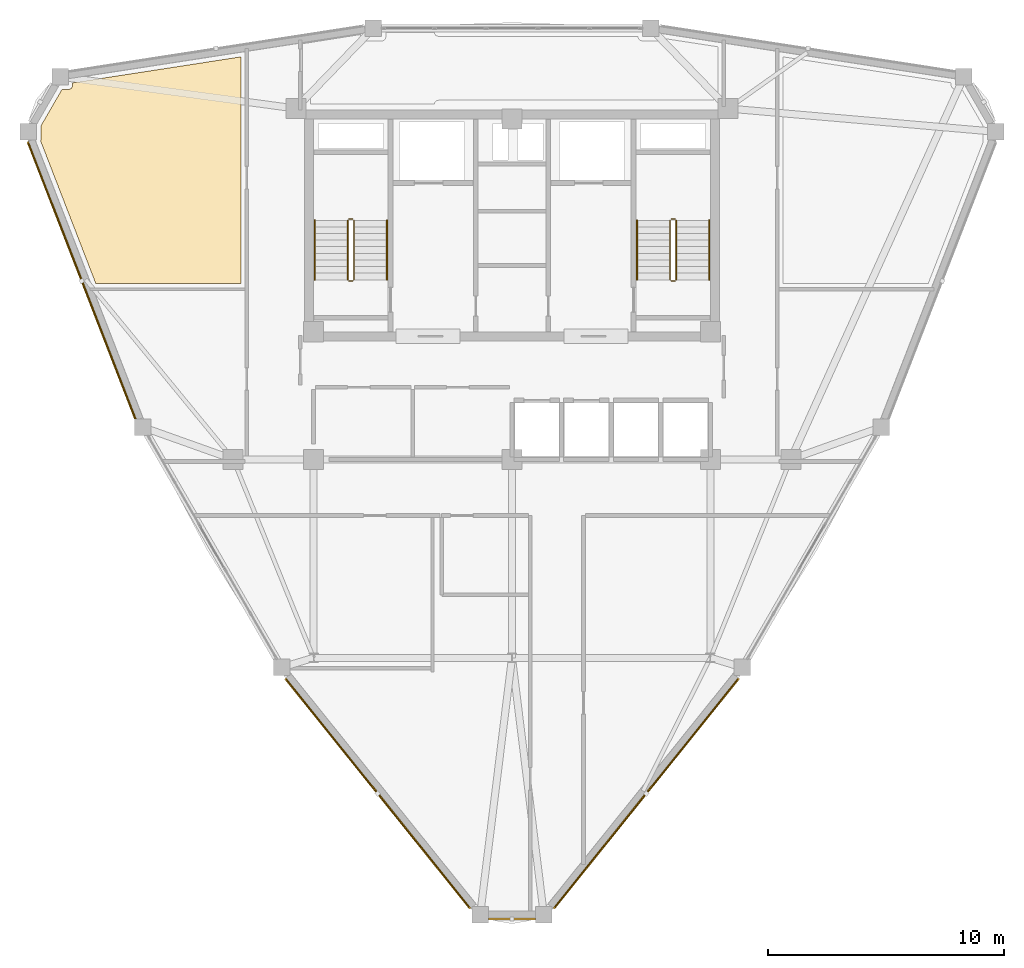
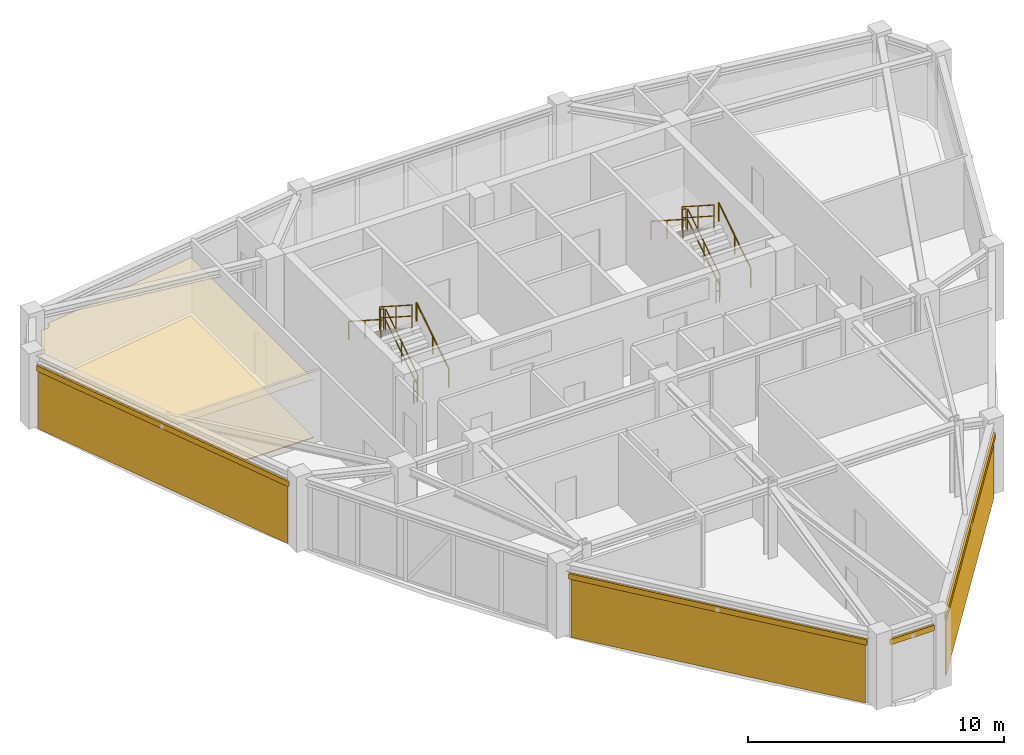
# One storey, part 14 of 15: 12 railings, 5 coverings, 4 shading devices.
"""IFC4 building model written with IfcOpenShell, lengths in metres."""

from ifc_helpers import new_model, si_unit, derived_unit, direction, frame, origin, origin_2d, place, context, subcontext, project, spatial, polyline, hollow_rectangle, circle, outline, extrude, source, transform, mapped, material, layer, layer_set, material_profile, profile_set, type_object, element, save


model = new_model("IFC4")

# Units and contexts
model_context = context("Model", 3, precision=1e-05, world=origin(), true_north=direction((0.0, 1.0)))
body_context = subcontext(model_context, "Body", "Model", "MODEL_VIEW")
ifc_project = project(units=[si_unit("LENGTHUNIT", "METRE"), si_unit("AREAUNIT", "SQUARE_METRE"), si_unit("VOLUMEUNIT", "CUBIC_METRE"), si_unit("PLANEANGLEUNIT", "RADIAN"), si_unit("MASSUNIT", "GRAM", prefix="KILO"), derived_unit("THERMALTRANSMITTANCEUNIT", [(si_unit("POWERUNIT", "WATT"), 1), (si_unit("LENGTHUNIT", "METRE"), -2), (si_unit("THERMODYNAMICTEMPERATUREUNIT", "KELVIN"), -1)])], contexts=[model_context])

# Site, building, storey
site_placement = place(None, origin())
site = spatial("IfcSite", under=ifc_project, at=site_placement, CompositionType="ELEMENT")
building_placement = place(site_placement, origin())
building = spatial("IfcBuilding", under=site, at=building_placement, Name="Korsvarv Bourse and Concert Hall", CompositionType="ELEMENT")
storey_placement = place(building_placement, frame((0.0, 0.0, 264.60009765625)))
storey = spatial("IfcBuildingStorey", under=building, at=storey_placement, Name="L69", CompositionType="ELEMENT", Elevation=264.60009765625)

# Coverings
ifc_material_1 = material(Name="Perforated mineral-wool and birch acoustic baffle ceiling", Category="wood")
ifc_layer_1 = layer(ifc_material_1, 0.02490234375)
ifc_layer_set_1 = layer_set([ifc_layer_1], Name="Perforated mineral-wool and birch acoustic baffle ceiling")
covering_type_1 = type_object("IfcCoveringType", Name="COV-CEIL-1", PredefinedType="CEILING", material=ifc_layer_set_1)
covering_1_placement = place(storey_placement, frame((0.0, 0.0, 2.789794921875)))
element("IfcCovering", 1, at=covering_1_placement, inside=storey, type_object=covering_type_1, Name="L69 acoustic baffle ceiling 1", PredefinedType="CEILING", context=body_context, shape_type="SweptSolid", body=[
    extrude(outline(polyline([(16.052001953125, 45.868896484375), (16.055908203125, 45.903564453125), (16.065185546875, 46.520263671875), (16.952880859375, 48.05810546875), (17.221923828125, 48.05810546875), (17.256103515625, 48.061279296875), (17.289306640625, 48.071044921875), (17.31982421875, 48.0869140625), (17.3466796875, 48.108154296875), (17.369140625, 48.13427734375), (17.38623046875, 48.164306640625), (17.397216796875, 48.19677734375), (17.40185546875, 48.23095703125), (17.406005859375, 48.33642578125), (24.52001953125, 49.435791015625), (24.52001953125, 39.85009765625), (18.38134765625, 39.85009765625), (16.052001953125, 45.868896484375)])), origin(), (0.0, 0.0, 1.0), 0.025146484375),
])
ifc_material_2 = material(Name="Warm iron-oxide extruded terracotta rainscreen tile", Category="ceramic")
ifc_layer_2 = layer(ifc_material_2, 0.044921875)
ifc_layer_set_2 = layer_set([ifc_layer_2], Name="Warm iron-oxide extruded terracotta rainscreen tile")
covering_type_2 = type_object("IfcCoveringType", Name="COV-CLD-TC", PredefinedType="CLADDING", material=ifc_layer_set_2)
covering_2_placement = place(storey_placement, origin())
element("IfcCovering", 2, at=covering_2_placement, inside=storey, type_object=covering_type_2, Name="L69 fluted terracotta cladding panel EW-L69-B06", PredefinedType="CLADDING", context=body_context, shape_type="SweptSolid", body=[
    extrude(outline(polyline([(15.566650390625, 45.787841796875), (20.088134765625, 34.140380859375), (20.046142578125, 34.124267578125), (15.52490234375, 45.771484375), (15.566650390625, 45.787841796875)])), origin(), (0.0, 0.0, 1.0), 2.72998046875),
])
covering_3_placement = place(storey_placement, origin())
element("IfcCovering", 3, at=covering_3_placement, inside=storey, type_object=covering_type_2, Name="L69 fluted terracotta cladding panel EW-L69-B08", PredefinedType="CLADDING", context=body_context, shape_type="SweptSolid", body=[
    extrude(outline(polyline([(26.48046875, 23.091552734375), (34.213134765625, 13.468505859375), (34.177978515625, 13.440185546875), (26.4453125, 23.0634765625), (26.48046875, 23.091552734375)])), origin(), (0.0, 0.0, 1.0), 2.760009765625),
])
covering_4_placement = place(storey_placement, origin())
element("IfcCovering", 4, at=covering_4_placement, inside=storey, type_object=covering_type_2, Name="L69 fluted terracotta cladding panel EW-L69-B10", PredefinedType="CLADDING", context=body_context, shape_type="SweptSolid", body=[
    extrude(outline(polyline([(37.786865234375, 13.468505859375), (45.51953125, 23.091552734375), (45.5546875, 23.0634765625), (37.822021484375, 13.440185546875), (37.786865234375, 13.468505859375)])), origin(), (0.0, 0.0, 1.0), 2.72998046875),
])
ifc_material_3 = material(Name="Calcium-sulphate raised access trading floor with Nordic oak top", Category="wood")
ifc_layer_3 = layer(ifc_material_3, 0.0400390625)
ifc_layer_set_3 = layer_set([ifc_layer_3], Name="Calcium-sulphate raised access trading floor with Nordic oak top")
covering_type_3 = type_object("IfcCoveringType", Name="COV-FLOR-1", PredefinedType="FLOORING", material=ifc_layer_set_3)
covering_5_placement = place(storey_placement, origin())
element("IfcCovering", 5, at=covering_5_placement, inside=storey, type_object=covering_type_3, Name="L69 raised access oak floor finish 1", PredefinedType="FLOORING", context=body_context, shape_type="SweptSolid", body=[
    extrude(outline(polyline([(16.052001953125, 45.868896484375), (16.055908203125, 45.903564453125), (16.065185546875, 46.520263671875), (16.952880859375, 48.05810546875), (17.221923828125, 48.05810546875), (17.256103515625, 48.061279296875), (17.289306640625, 48.071044921875), (17.31982421875, 48.0869140625), (17.3466796875, 48.108154296875), (17.369140625, 48.13427734375), (17.38623046875, 48.164306640625), (17.397216796875, 48.19677734375), (17.40185546875, 48.23095703125), (17.406005859375, 48.33642578125), (24.52001953125, 49.435791015625), (24.52001953125, 39.85009765625), (18.38134765625, 39.85009765625), (16.052001953125, 45.868896484375)])), origin(), (0.0, 0.0, 1.0), 0.039794921875),
])

# Railings
ifc_material_4 = material(Name="Painted Steel S355 stair well guardrail", Category="steel")
railing_type_1 = type_object("IfcRailingType", Name="RL-ST-GRD", PredefinedType="GUARDRAIL", material=ifc_material_4)
railing_1_placement = place(storey_placement, frame((29.31005859375, 40.0, 0.179931640625)))
element("IfcRailing", 6, at=railing_1_placement, inside=storey, type_object=railing_type_1, Name="L69 ST-T1 stair guard 1", PredefinedType="GUARDRAIL", context=body_context, shape_type="SweptSolid", body=[
    extrude(circle(Radius=0.02392578125, at=origin_2d()), frame((0.0, 0.0, 1.076171875), z_axis=(0.0, 0.841199657755, 0.540724639528), x_axis=(-1.0, 0.0, 0.0)), (0.0, 0.0, 1.0), 2.995849609375),
    extrude(circle(Radius=0.02392578125, at=origin_2d()), frame((0.0, 0.0, 0.550048828125), z_axis=(0.0, 0.841199657755, 0.540724639528), x_axis=(-1.0, 0.0, 0.0)), (0.0, 0.0, 1.0), 2.995849609375),
    extrude(circle(Radius=0.02099609375, at=origin_2d()), origin(), (0.0, 0.0, 1.0), 1.052001953125),
    extrude(circle(Radius=0.02099609375, at=origin_2d()), frame((0.0, 1.260009765625, 0.81005859375)), (0.0, 0.0, 1.0), 1.052001953125),
    extrude(circle(Radius=0.02099609375, at=origin_2d()), frame((0.0, 2.52001953125, 1.619873046875)), (0.0, 0.0, 1.0), 1.052001953125),
])
railing_2_placement = place(storey_placement, frame((29.260009765625, 42.570068359375, 1.7998046875)))
element("IfcRailing", 7, at=railing_2_placement, inside=storey, type_object=railing_type_1, Name="L69 ST-T1 stair guard 2", PredefinedType="GUARDRAIL", context=body_context, shape_type="SweptSolid", body=[
    extrude(circle(Radius=0.02392578125, at=origin_2d()), frame((0.0, 0.0, 1.076171875), z_axis=(-1.0, 0.0, 0.0), x_axis=(0.0, -1.0, 0.0)), (0.0, 0.0, 1.0), 0.159912109375),
    extrude(circle(Radius=0.02392578125, at=origin_2d()), frame((0.0, 0.0, 0.550048828125), z_axis=(-1.0, 0.0, 0.0), x_axis=(0.0, -1.0, 0.0)), (0.0, 0.0, 1.0), 0.159912109375),
    extrude(circle(Radius=0.02099609375, at=origin_2d()), origin(), (0.0, 0.0, 1.0), 1.052001953125),
    extrude(circle(Radius=0.02099609375, at=origin_2d()), frame((-0.159912109375, 0.0, 0.0)), (0.0, 0.0, 1.0), 1.052001953125),
])
railing_3_placement = place(storey_placement, frame((29.050048828125, 42.52001953125, 1.97998046875)))
element("IfcRailing", 8, at=railing_3_placement, inside=storey, type_object=railing_type_1, Name="L69 ST-T1 stair guard 3", PredefinedType="GUARDRAIL", context=body_context, shape_type="SweptSolid", body=[
    extrude(circle(Radius=0.02392578125, at=origin_2d()), frame((0.0, 0.0, 1.076171875), z_axis=(0.0, -0.841199657755, 0.540724639528), x_axis=(1.0, 0.0, 0.0)), (0.0, 0.0, 1.0), 2.995849609375),
    extrude(circle(Radius=0.02392578125, at=origin_2d()), frame((0.0, 0.0, 0.550048828125), z_axis=(0.0, -0.841199657755, 0.540724639528), x_axis=(1.0, 0.0, 0.0)), (0.0, 0.0, 1.0), 2.995849609375),
    extrude(circle(Radius=0.02099609375, at=origin_2d()), origin(), (0.0, 0.0, 1.0), 1.052001953125),
    extrude(circle(Radius=0.02099609375, at=origin_2d()), frame((0.0, -1.260009765625, 0.81005859375)), (0.0, 0.0, 1.0), 1.052001953125),
    extrude(circle(Radius=0.02099609375, at=origin_2d()), frame((0.0, -2.52001953125, 1.619873046875)), (0.0, 0.0, 1.0), 1.052001953125),
])
railing_4_placement = place(storey_placement, frame((29.260009765625, 39.949951171875, 0.0)))
element("IfcRailing", 9, at=railing_4_placement, inside=storey, type_object=railing_type_1, Name="L69 ST-T1 stair guard 4", PredefinedType="GUARDRAIL", context=body_context, shape_type="SweptSolid", body=[
    extrude(circle(Radius=0.02392578125, at=origin_2d()), frame((0.0, 0.0, 1.076171875), z_axis=(-1.0, 0.0, 0.0), x_axis=(0.0, -1.0, 0.0)), (0.0, 0.0, 1.0), 0.159912109375),
    extrude(circle(Radius=0.02392578125, at=origin_2d()), frame((0.0, 0.0, 0.550048828125), z_axis=(-1.0, 0.0, 0.0), x_axis=(0.0, -1.0, 0.0)), (0.0, 0.0, 1.0), 0.159912109375),
    extrude(circle(Radius=0.02099609375, at=origin_2d()), origin(), (0.0, 0.0, 1.0), 1.052001953125),
    extrude(circle(Radius=0.02099609375, at=origin_2d()), frame((-0.159912109375, 0.0, 0.0)), (0.0, 0.0, 1.0), 1.052001953125),
])
railing_5_placement = place(storey_placement, frame((42.949951171875, 40.0, 0.179931640625)))
element("IfcRailing", 10, at=railing_5_placement, inside=storey, type_object=railing_type_1, Name="L69 ST-T2 stair guard 1", PredefinedType="GUARDRAIL", context=body_context, shape_type="SweptSolid", body=[
    extrude(circle(Radius=0.02392578125, at=origin_2d()), frame((0.0, 0.0, 1.076171875), z_axis=(0.0, 0.841199657755, 0.540724639528), x_axis=(-1.0, 0.0, 0.0)), (0.0, 0.0, 1.0), 2.995849609375),
    extrude(circle(Radius=0.02392578125, at=origin_2d()), frame((0.0, 0.0, 0.550048828125), z_axis=(0.0, 0.841199657755, 0.540724639528), x_axis=(-1.0, 0.0, 0.0)), (0.0, 0.0, 1.0), 2.995849609375),
    extrude(circle(Radius=0.02099609375, at=origin_2d()), origin(), (0.0, 0.0, 1.0), 1.052001953125),
    extrude(circle(Radius=0.02099609375, at=origin_2d()), frame((0.0, 1.260009765625, 0.81005859375)), (0.0, 0.0, 1.0), 1.052001953125),
    extrude(circle(Radius=0.02099609375, at=origin_2d()), frame((0.0, 2.52001953125, 1.619873046875)), (0.0, 0.0, 1.0), 1.052001953125),
])
railing_6_placement = place(storey_placement, frame((42.89990234375, 42.570068359375, 1.7998046875)))
element("IfcRailing", 11, at=railing_6_placement, inside=storey, type_object=railing_type_1, Name="L69 ST-T2 stair guard 2", PredefinedType="GUARDRAIL", context=body_context, shape_type="SweptSolid", body=[
    extrude(circle(Radius=0.02392578125, at=origin_2d()), frame((0.0, 0.0, 1.076171875), z_axis=(-1.0, 0.0, 0.0), x_axis=(0.0, -1.0, 0.0)), (0.0, 0.0, 1.0), 0.159912109375),
    extrude(circle(Radius=0.02392578125, at=origin_2d()), frame((0.0, 0.0, 0.550048828125), z_axis=(-1.0, 0.0, 0.0), x_axis=(0.0, -1.0, 0.0)), (0.0, 0.0, 1.0), 0.159912109375),
    extrude(circle(Radius=0.02099609375, at=origin_2d()), origin(), (0.0, 0.0, 1.0), 1.052001953125),
    extrude(circle(Radius=0.02099609375, at=origin_2d()), frame((-0.159912109375, 0.0, 0.0)), (0.0, 0.0, 1.0), 1.052001953125),
])
railing_7_placement = place(storey_placement, frame((42.68994140625, 42.52001953125, 1.97998046875)))
element("IfcRailing", 12, at=railing_7_placement, inside=storey, type_object=railing_type_1, Name="L69 ST-T2 stair guard 3", PredefinedType="GUARDRAIL", context=body_context, shape_type="SweptSolid", body=[
    extrude(circle(Radius=0.02392578125, at=origin_2d()), frame((0.0, 0.0, 1.076171875), z_axis=(0.0, -0.841199657755, 0.540724639528), x_axis=(1.0, 0.0, 0.0)), (0.0, 0.0, 1.0), 2.995849609375),
    extrude(circle(Radius=0.02392578125, at=origin_2d()), frame((0.0, 0.0, 0.550048828125), z_axis=(0.0, -0.841199657755, 0.540724639528), x_axis=(1.0, 0.0, 0.0)), (0.0, 0.0, 1.0), 2.995849609375),
    extrude(circle(Radius=0.02099609375, at=origin_2d()), origin(), (0.0, 0.0, 1.0), 1.052001953125),
    extrude(circle(Radius=0.02099609375, at=origin_2d()), frame((0.0, -1.260009765625, 0.81005859375)), (0.0, 0.0, 1.0), 1.052001953125),
    extrude(circle(Radius=0.02099609375, at=origin_2d()), frame((0.0, -2.52001953125, 1.619873046875)), (0.0, 0.0, 1.0), 1.052001953125),
])
railing_8_placement = place(storey_placement, frame((42.89990234375, 39.949951171875, 0.0)))
element("IfcRailing", 13, at=railing_8_placement, inside=storey, type_object=railing_type_1, Name="L69 ST-T2 stair guard 4", PredefinedType="GUARDRAIL", context=body_context, shape_type="SweptSolid", body=[
    extrude(circle(Radius=0.02392578125, at=origin_2d()), frame((0.0, 0.0, 1.076171875), z_axis=(-1.0, 0.0, 0.0), x_axis=(0.0, -1.0, 0.0)), (0.0, 0.0, 1.0), 0.159912109375),
    extrude(circle(Radius=0.02392578125, at=origin_2d()), frame((0.0, 0.0, 0.550048828125), z_axis=(-1.0, 0.0, 0.0), x_axis=(0.0, -1.0, 0.0)), (0.0, 0.0, 1.0), 0.159912109375),
    extrude(circle(Radius=0.02099609375, at=origin_2d()), origin(), (0.0, 0.0, 1.0), 1.052001953125),
    extrude(circle(Radius=0.02099609375, at=origin_2d()), frame((-0.159912109375, 0.0, 0.0)), (0.0, 0.0, 1.0), 1.052001953125),
])
ifc_material_5 = material(Name="Brushed stainless Steel S355 tubular handrail", Category="steel")
railing_type_2 = type_object("IfcRailingType", Name="RL-ST-HND", PredefinedType="HANDRAIL", material=ifc_material_5)
railing_9_placement = place(storey_placement, frame((30.7099609375, 40.0, 0.179931640625)))
element("IfcRailing", 14, at=railing_9_placement, inside=storey, type_object=railing_type_2, Name="L69 ST-T1 stair handrail 1", PredefinedType="HANDRAIL", context=body_context, shape_type="SweptSolid", body=[
    extrude(circle(Radius=0.02392578125, at=origin_2d()), frame((0.0, 0.0, 0.8759765625), z_axis=(0.0, 0.841199657755, 0.540724639528), x_axis=(-1.0, 0.0, 0.0)), (0.0, 0.0, 1.0), 2.995849609375),
    extrude(circle(Radius=0.02099609375, at=origin_2d()), origin(), (0.0, 0.0, 1.0), 0.851806640625),
    extrude(circle(Radius=0.02099609375, at=origin_2d()), frame((0.0, 1.260009765625, 0.81005859375)), (0.0, 0.0, 1.0), 0.851806640625),
    extrude(circle(Radius=0.02099609375, at=origin_2d()), frame((0.0, 2.52001953125, 1.619873046875)), (0.0, 0.0, 1.0), 0.851806640625),
])
railing_10_placement = place(storey_placement, frame((27.64990234375, 42.52001953125, 1.97998046875)))
element("IfcRailing", 15, at=railing_10_placement, inside=storey, type_object=railing_type_2, Name="L69 ST-T1 stair handrail 2", PredefinedType="HANDRAIL", context=body_context, shape_type="SweptSolid", body=[
    extrude(circle(Radius=0.02392578125, at=origin_2d()), frame((0.0, 0.0, 0.8759765625), z_axis=(0.0, -0.841199657755, 0.540724639528), x_axis=(1.0, 0.0, 0.0)), (0.0, 0.0, 1.0), 2.995849609375),
    extrude(circle(Radius=0.02099609375, at=origin_2d()), origin(), (0.0, 0.0, 1.0), 0.851806640625),
    extrude(circle(Radius=0.02099609375, at=origin_2d()), frame((0.0, -1.260009765625, 0.81005859375)), (0.0, 0.0, 1.0), 0.851806640625),
    extrude(circle(Radius=0.02099609375, at=origin_2d()), frame((0.0, -2.52001953125, 1.619873046875)), (0.0, 0.0, 1.0), 0.851806640625),
])
railing_11_placement = place(storey_placement, frame((44.35009765625, 40.0, 0.179931640625)))
element("IfcRailing", 16, at=railing_11_placement, inside=storey, type_object=railing_type_2, Name="L69 ST-T2 stair handrail 1", PredefinedType="HANDRAIL", context=body_context, shape_type="SweptSolid", body=[
    extrude(circle(Radius=0.02392578125, at=origin_2d()), frame((0.0, 0.0, 0.8759765625), z_axis=(0.0, 0.841199657755, 0.540724639528), x_axis=(-1.0, 0.0, 0.0)), (0.0, 0.0, 1.0), 2.995849609375),
    extrude(circle(Radius=0.02099609375, at=origin_2d()), origin(), (0.0, 0.0, 1.0), 0.851806640625),
    extrude(circle(Radius=0.02099609375, at=origin_2d()), frame((0.0, 1.260009765625, 0.81005859375)), (0.0, 0.0, 1.0), 0.851806640625),
    extrude(circle(Radius=0.02099609375, at=origin_2d()), frame((0.0, 2.52001953125, 1.619873046875)), (0.0, 0.0, 1.0), 0.851806640625),
])
railing_12_placement = place(storey_placement, frame((41.2900390625, 42.52001953125, 1.97998046875)))
element("IfcRailing", 17, at=railing_12_placement, inside=storey, type_object=railing_type_2, Name="L69 ST-T2 stair handrail 2", PredefinedType="HANDRAIL", context=body_context, shape_type="SweptSolid", body=[
    extrude(circle(Radius=0.02392578125, at=origin_2d()), frame((0.0, 0.0, 0.8759765625), z_axis=(0.0, -0.841199657755, 0.540724639528), x_axis=(1.0, 0.0, 0.0)), (0.0, 0.0, 1.0), 2.995849609375),
    extrude(circle(Radius=0.02099609375, at=origin_2d()), origin(), (0.0, 0.0, 1.0), 0.851806640625),
    extrude(circle(Radius=0.02099609375, at=origin_2d()), frame((0.0, -1.260009765625, 0.81005859375)), (0.0, 0.0, 1.0), 0.851806640625),
    extrude(circle(Radius=0.02099609375, at=origin_2d()), frame((0.0, -2.52001953125, 1.619873046875)), (0.0, 0.0, 1.0), 0.851806640625),
])

# Shading devices
ifc_material_6 = material(Name="Glazed extruded architectural terracotta", Category="ceramic")
ifc_material_profile = material_profile(ifc_material_6, hollow_rectangle(XDim=0.090087890625, YDim=0.260009765625, WallThickness=0.011962890625, at=origin_2d()), Name="TC-BAG 90x260")
ifc_profile_set = profile_set([ifc_material_profile], Name="Glazed extruded architectural terracotta")
shading_device_type = type_object("IfcShadingDeviceType", Name="SHD-BAG-1", PredefinedType="USERDEFINED", material=ifc_profile_set)
shared_shape_1 = source(origin(), body_context, "Body", "SweptSolid", [
    extrude(hollow_rectangle(XDim=0.090087890625, YDim=0.260009765625, WallThickness=0.011962890625, at=origin_2d()), origin(), (0.0, 0.0, 1.0), 12.654052734375),
])
shading_device_1_placement = place(storey_placement, frame((15.50048828125, 45.847900390625, 2.889892578125), z_axis=(0.361887564825, -0.932221749599, 0.0), x_axis=(0.932221749599, 0.361887564825, 0.0)))
element("IfcShadingDevice", 18, at=shading_device_1_placement, inside=storey, type_object=shading_device_type, Name="L69 terracotta baguette sunshade EW-L69-B06", ObjectType="BAGUETTE", PredefinedType="USERDEFINED", context=body_context, shape_type="MappedRepresentation", body=[
    mapped(shared_shape_1, transform((0.0, 0.0, 0.0), scale=1.0)),
])
shared_shape_2 = source(origin(), body_context, "Body", "SweptSolid", [
    extrude(hollow_rectangle(XDim=0.090087890625, YDim=0.260009765625, WallThickness=0.011962890625, at=origin_2d()), origin(), (0.0, 0.0, 1.0), 12.505126953125),
])
for number, where, z_axis, x_axis, name in (
    (19, (26.399169921875, 23.12890625, 2.919921875), (0.626388778064, -0.779510807311, 0.0), (0.779510807311, 0.626388778064, 0.0), "L69 terracotta baguette sunshade EW-L69-B08"),
    (20, (37.767822265625, 13.381103515625, 2.889892578125), (0.626388778064, 0.779510807311, 0.0), (-0.779510807311, 0.626388778064, 0.0), "L69 terracotta baguette sunshade EW-L69-B10"),
):
    element("IfcShadingDevice", number, at=place(storey_placement, frame(where, z_axis=z_axis, x_axis=x_axis)), inside=storey, type_object=shading_device_type, Name=name, ObjectType="BAGUETTE", PredefinedType="USERDEFINED", context=body_context, shape_type="MappedRepresentation", body=[
        mapped(shared_shape_2, transform((0.0, 0.0, 0.0), scale=1.0)),
    ])
shared_shape_3 = source(origin(), body_context, "Body", "SweptSolid", [
    extrude(hollow_rectangle(XDim=0.090087890625, YDim=0.260009765625, WallThickness=0.011962890625, at=origin_2d()), origin(), (0.0, 0.0, 1.0), 1.982421875),
])
shading_device_2_placement = place(storey_placement, frame((35.0087890625, 12.95068359375, 2.919921875), z_axis=(1.0, 0.0, 0.0), x_axis=(0.0, 1.0, 0.0)))
element("IfcShadingDevice", 21, at=shading_device_2_placement, inside=storey, type_object=shading_device_type, Name="L69 terracotta baguette sunshade EW-L69-B09", ObjectType="BAGUETTE", PredefinedType="USERDEFINED", context=body_context, shape_type="MappedRepresentation", body=[
    mapped(shared_shape_3, transform((0.0, 0.0, 0.0), scale=1.0)),
])

save(model, "model.ifc")
